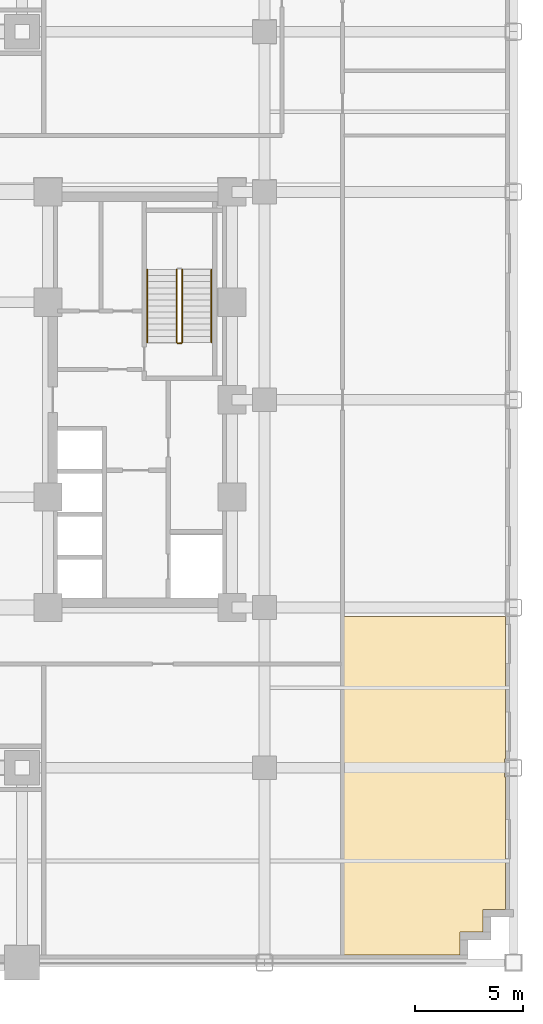
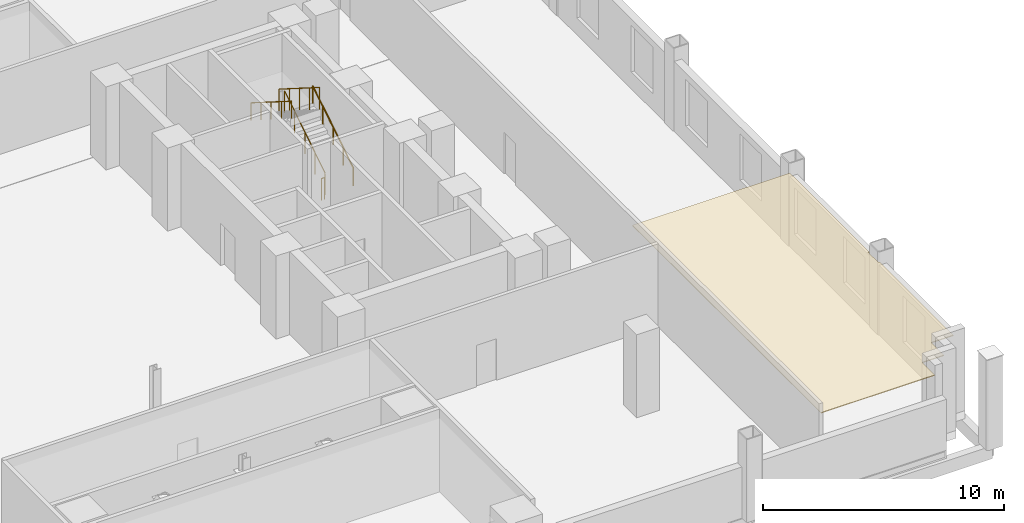
# One storey, part 14 of 17: 5 railings, 1 covering.
"""IFC4 building model written with IfcOpenShell, lengths in metres."""

import ifcopenshell
import ifcopenshell.guid

model = None  # the IFC model being written
_history = None  # IfcOwnerHistory: only IFC2X3 demands one
_inside = {}  # id of a spatial element -> (the spatial element, [elements in it])
_under = {}  # id of a project, library or spatial element -> (it, [spatial elements below it])
_declared = {}  # id of a project -> (the project, [libraries it declares])
_typed = {}  # id of a type object -> (the type object, [elements of that type])
_made_of = {}  # id of a material, layer set ... -> (it, [elements and type objects made of it])


def new_model(schema):
    """Start an empty IFC model of exactly this schema.

    Asked for "IFC4X3", IfcOpenShell would pick the latest addendum, in which some entities
    have other attributes; the version numbers below select the first issue.
    IFC2X3 requires an IfcOwnerHistory on every rooted entity: one is made here for all.
    """
    global model, _history
    if schema == "IFC4X3":
        model = ifcopenshell.file(schema_version=(4, 3, 0, 0))
    else:
        model = ifcopenshell.file(schema=schema)
    _inside.clear()
    _under.clear()
    _declared.clear()
    _typed.clear()
    _made_of.clear()
    _history = None
    if model.schema == "IFC2X3":
        org = make("IfcOrganization", Name="unknown")
        user = make(
            "IfcPersonAndOrganization",
            ThePerson=make("IfcPerson", FamilyName="unknown"),
            TheOrganization=org,
        )
        app = make(
            "IfcApplication",
            ApplicationDeveloper=org,
            Version="unknown",
            ApplicationFullName="unknown",
            ApplicationIdentifier="unknown",
        )
        _history = make(
            "IfcOwnerHistory",
            OwningUser=user,
            OwningApplication=app,
            ChangeAction="ADDED",
            CreationDate=0,
        )
    return model


def make(cls, **values):
    """One entity of the class cls with the attributes given. An attribute that is None is left unset."""
    return model.create_entity(
        cls, **{name: value for name, value in values.items() if value is not None}
    )


def rooted(cls, **values):
    """An entity with a GlobalId (a new one), such as an element, a storey or a relation."""
    return make(cls, GlobalId=ifcopenshell.guid.new(), OwnerHistory=_history, **values)


def si_unit(unit_type, name, prefix=None):
    """IfcSIUnit, for example si_unit("LENGTHUNIT", "METRE", prefix="MILLI")."""
    return make("IfcSIUnit", UnitType=unit_type, Prefix=prefix, Name=name)


def assignment(units):
    """IfcUnitAssignment: the units of a project."""
    return None if units is None else make("IfcUnitAssignment", Units=units)


def point(xyz):
    """IfcCartesianPoint."""
    return None if xyz is None else make("IfcCartesianPoint", Coordinates=xyz)


def direction(xyz):
    """IfcDirection."""
    return None if xyz is None else make("IfcDirection", DirectionRatios=xyz)


def frame(location, z_axis=None, x_axis=None):
    """IfcAxis2Placement3D, a coordinate frame: its origin and axes. An axis left out is left unset."""
    return make(
        "IfcAxis2Placement3D",
        Location=point(location),
        Axis=direction(z_axis),
        RefDirection=direction(x_axis),
    )


def frame_2d(location, x_axis=None):
    """IfcAxis2Placement2D, a coordinate frame in the plane: its origin and x axis."""
    return make(
        "IfcAxis2Placement2D", Location=point(location), RefDirection=direction(x_axis)
    )


def origin():
    """The frame at (0, 0, 0) with its axes left unset."""
    return frame((0.0, 0.0, 0.0))


def origin_2d():
    """The frame at (0, 0) in the plane with its x axis left unset."""
    return frame_2d((0.0, 0.0))


def place(relative_to, where):
    """IfcLocalPlacement: puts the frame where relative to a parent placement (None: the world)."""
    return make(
        "IfcLocalPlacement", PlacementRelTo=relative_to, RelativePlacement=where
    )


def context(
    kind, dimensions, precision=None, world=None, true_north=None, identifier=None
):
    """IfcGeometricRepresentationContext, for example the 3D "Model" context."""
    return make(
        "IfcGeometricRepresentationContext",
        ContextIdentifier=identifier,
        ContextType=kind,
        CoordinateSpaceDimension=dimensions,
        Precision=precision,
        WorldCoordinateSystem=world,
        TrueNorth=true_north,
    )


def subcontext(parent, identifier, kind, view, scale=None):
    """IfcGeometricRepresentationSubContext, for example "Body" below "Model"."""
    return make(
        "IfcGeometricRepresentationSubContext",
        ContextIdentifier=identifier,
        ContextType=kind,
        ParentContext=parent,
        TargetScale=scale,
        TargetView=view,
    )


def project(units=None, contexts=None):
    """IfcProject with its units and contexts."""
    return rooted(
        "IfcProject",
        Name="project",
        RepresentationContexts=contexts,
        UnitsInContext=assignment(units),
    )


def spatial(cls, under=None, at=None, **own):
    """A site, building, storey or space (cls), placed at a placement, below another one or the project."""
    s = rooted(cls, ObjectPlacement=at, **own)
    if under is not None:
        _under.setdefault(under.id(), (under, []))[1].append(s)
    return s


def polyline(points):
    """IfcPolyline through the points."""
    return make("IfcPolyline", Points=[point(p) for p in points])


def profile(cls, at=None, kind="AREA", **sizes):
    """A parametric profile (cls). Its sizes go by their IFC names, for example OverallWidth=200.0."""
    return make(cls, ProfileType=kind, Position=at, **sizes)


def circle(**sizes):
    """IfcCircleProfileDef."""
    return profile("IfcCircleProfileDef", **sizes)


def outline(outer, holes=None, kind="AREA"):
    """IfcArbitraryClosedProfileDef: a profile drawn as a closed curve; with holes, ...WithVoids."""
    if holes is None:
        return make("IfcArbitraryClosedProfileDef", ProfileType=kind, OuterCurve=outer)
    return make(
        "IfcArbitraryProfileDefWithVoids",
        ProfileType=kind,
        OuterCurve=outer,
        InnerCurves=holes,
    )


def extrude(swept, where, along, depth):
    """IfcExtrudedAreaSolid: the profile swept, set in the frame where, extruded along a direction by depth."""
    return make(
        "IfcExtrudedAreaSolid",
        SweptArea=swept,
        Position=where,
        ExtrudedDirection=direction(along),
        Depth=depth,
    )


def shape(context_of_items, identifier, shape_type, items):
    """IfcShapeRepresentation: the items that make up one representation, for example the "Body"."""
    return make(
        "IfcShapeRepresentation",
        ContextOfItems=context_of_items,
        RepresentationIdentifier=identifier,
        RepresentationType=shape_type,
        Items=items,
    )


def material(Name=None, Category=None):
    """IfcMaterial."""
    return make("IfcMaterial", Name=Name, Category=Category)


def layer(
    of_material, thickness, ventilated=None, Name=None, Category=None, Priority=None
):
    """IfcMaterialLayer: one layer of a wall or slab, of a material (None: an air gap)."""
    return make(
        "IfcMaterialLayer",
        Material=of_material,
        LayerThickness=thickness,
        IsVentilated=ventilated,
        Name=Name,
        Category=Category,
        Priority=Priority,
    )


def layer_set(layers, Name=None):
    """IfcMaterialLayerSet."""
    return make("IfcMaterialLayerSet", MaterialLayers=layers, LayerSetName=Name)


def made_of(thing, what):
    """Note that an element or type object is made of a material, layer set ...; save() writes the relation."""
    if what is not None:
        _made_of.setdefault(what.id(), (what, []))[1].append(thing)
    return thing


def type_object(cls, material=None, **own):
    """A type object (cls), such as IfcWallType, which elements share."""
    return made_of(rooted(cls, **own), material)


def element(
    cls,
    number,
    at=None,
    inside=None,
    cuts=None,
    type_object=None,
    material=None,
    context=None,
    identifier="Body",
    shape_type=None,
    held_by="IfcProductDefinitionShape",
    body=None,
    shapes=None,
    **own,
):
    """One element of the class cls, such as IfcWall. Its Tag is "e" and its number.

    at: its placement. inside: the storey or other place that contains it. cuts: it is an
    opening in that element (IfcRelVoidsElement). A single representation is given by context,
    identifier, shape_type and body (its items); several are given by shapes. held_by: the class
    of the entity that holds the representations. save() writes the other relations.
    """
    e = rooted(cls, Tag="e%d" % number, ObjectPlacement=at, **own)
    if body is not None:
        shapes = [shape(context, identifier, shape_type, body)]
    if shapes is not None:
        e.Representation = make(held_by, Representations=shapes)
    if inside is not None:
        _inside.setdefault(inside.id(), (inside, []))[1].append(e)
    if cuts is not None:
        rooted(
            "IfcRelVoidsElement", RelatingBuildingElement=cuts, RelatedOpeningElement=e
        )
    if type_object is not None:
        _typed.setdefault(type_object.id(), (type_object, []))[1].append(e)
    return made_of(e, material)


def aggregate(whole, parts):
    """IfcRelAggregates: a whole, such as a stair, and the parts it consists of."""
    return rooted("IfcRelAggregates", RelatingObject=whole, RelatedObjects=parts)


def save(model, path):
    """Write the relations noted so far, then the file.

    IfcRelAggregates (storeys below a building ...), IfcRelContainedInSpatialStructure (elements
    in a storey), IfcRelDefinesByType, IfcRelAssociatesMaterial and IfcRelDeclares: one each for
    every whole, place, type object, material and project.
    """
    for whole, parts in _under.values():
        aggregate(whole, parts)
    for where, things in _inside.values():
        rooted(
            "IfcRelContainedInSpatialStructure",
            RelatedElements=things,
            RelatingStructure=where,
        )
    for kind, things in _typed.values():
        rooted("IfcRelDefinesByType", RelatedObjects=things, RelatingType=kind)
    for what, things in _made_of.values():
        rooted("IfcRelAssociatesMaterial", RelatedObjects=things, RelatingMaterial=what)
    for by, libraries in _declared.values():
        rooted("IfcRelDeclares", RelatingContext=by, RelatedDefinitions=libraries)
    model.write(path)


model = new_model("IFC4")

# Units and contexts
model_context = context("Model", 3, precision=1e-05, world=origin(), true_north=direction((0.0, 1.0)))
body_context = subcontext(model_context, "Body", "Model", "MODEL_VIEW")
ifc_project = project(units=[si_unit("LENGTHUNIT", "METRE"), si_unit("AREAUNIT", "SQUARE_METRE"), si_unit("VOLUMEUNIT", "CUBIC_METRE"), si_unit("PLANEANGLEUNIT", "RADIAN"), si_unit("MASSUNIT", "GRAM", prefix="KILO")], contexts=[model_context])

# Site, building, storey
site_placement = place(None, origin())
site = spatial("IfcSite", under=ifc_project, at=site_placement, CompositionType="ELEMENT")
building_placement = place(site_placement, origin())
building = spatial("IfcBuilding", under=site, at=building_placement, Name="Nuvemarco Arch Tower", CompositionType="ELEMENT")
storey_placement = place(building_placement, frame((0.0, 0.0, 18.39990234375)))
storey = spatial("IfcBuildingStorey", under=building, at=storey_placement, Name="L04", CompositionType="ELEMENT", Elevation=18.39990234375)

# Covering
ifc_material_1 = material(Name="Mineral acoustic ceiling tile")
ifc_layer = layer(ifc_material_1, 0.0400390625, Name="COV-ACOUSTIC-CLG")
ifc_layer_set = layer_set([ifc_layer], Name="Mineral acoustic ceiling tile")
covering_type = type_object("IfcCoveringType", Name="COV-ACOUSTIC-CLG", PredefinedType="CEILING", material=ifc_layer_set)
covering_placement = place(storey_placement, frame((0.0, 0.0, 3.68017578125)))
element("IfcCovering", 1, at=covering_placement, inside=storey, type_object=covering_type, Name="L04 suspended acoustic ceiling 3", PredefinedType="CEILING", context=body_context, shape_type="SweptSolid", body=[
    extrude(outline(polyline([(30.0849609375, -10.014892578125), (30.139892578125, -10.014892578125), (30.139892578125, -16.5849609375), (30.0849609375, -16.5849609375), (30.0849609375, -17.4150390625), (30.139892578125, -17.4150390625), (30.139892578125, -23.5400390625), (29.090087890625, -23.5400390625), (29.090087890625, -24.590087890625), (28.0400390625, -24.590087890625), (28.0400390625, -25.639892578125), (22.60009765625, -25.639892578125), (22.60009765625, -12.199951171875), (22.60009765625, -10.0), (30.0849609375, -10.0), (30.0849609375, -10.014892578125)])), origin(), (0.0, 0.0, 1.0), 0.0400390625),
])

# Railings
ifc_material_2 = material(Name="Brushed stainless steel handrail", Category="steel")
railing_type_1 = type_object("IfcRailingType", Name="RL-HANDRAIL-900", PredefinedType="HANDRAIL", material=ifc_material_2)
railing_1_placement = place(storey_placement, frame((16.550048828125, 2.64990234375, 0.177001953125)))
element("IfcRailing", 2, at=railing_1_placement, inside=storey, type_object=railing_type_1, Name="L04 ST-2 stair handrail 1", PredefinedType="HANDRAIL", context=body_context, shape_type="SweptSolid", body=[
    extrude(circle(Radius=0.02392578125, at=origin_2d()), frame((0.0, 0.0, 0.8759765625), z_axis=(0.0, 0.845389635667, 0.534150132366), x_axis=(-1.0, 0.0, 0.0)), (0.0, 0.0, 1.0), 3.974609375),
    extrude(circle(Radius=0.02099609375, at=origin_2d()), origin(), (0.0, 0.0, 1.0), 0.851806640625),
    extrude(circle(Radius=0.02099609375, at=origin_2d()), frame((0.0, 0.840087890625, 0.53076171875)), (0.0, 0.0, 1.0), 0.851806640625),
    extrude(circle(Radius=0.02099609375, at=origin_2d()), frame((0.0, 1.68017578125, 1.0615234375)), (0.0, 0.0, 1.0), 0.851806640625),
    extrude(circle(Radius=0.02099609375, at=origin_2d()), frame((0.0, 2.52001953125, 1.59228515625)), (0.0, 0.0, 1.0), 0.851806640625),
    extrude(circle(Radius=0.02099609375, at=origin_2d()), frame((0.0, 3.360107421875, 2.123046875)), (0.0, 0.0, 1.0), 0.851806640625),
])
railing_2_placement = place(storey_placement, frame((13.590087890625, 6.010009765625, 2.47705078125)))
element("IfcRailing", 3, at=railing_2_placement, inside=storey, type_object=railing_type_1, Name="L04 ST-2 stair handrail 2", PredefinedType="HANDRAIL", context=body_context, shape_type="SweptSolid", body=[
    extrude(circle(Radius=0.02392578125, at=origin_2d()), frame((0.0, 0.0, 0.8759765625), z_axis=(0.0, -0.845389635667, 0.534150132366), x_axis=(1.0, 0.0, 0.0)), (0.0, 0.0, 1.0), 3.974609375),
    extrude(circle(Radius=0.02099609375, at=origin_2d()), origin(), (0.0, 0.0, 1.0), 0.851806640625),
    extrude(circle(Radius=0.02099609375, at=origin_2d()), frame((0.0, -0.840087890625, 0.53076171875)), (0.0, 0.0, 1.0), 0.851806640625),
    extrude(circle(Radius=0.02099609375, at=origin_2d()), frame((0.0, -1.68017578125, 1.0615234375)), (0.0, 0.0, 1.0), 0.851806640625),
    extrude(circle(Radius=0.02099609375, at=origin_2d()), frame((0.0, -2.52001953125, 1.59228515625)), (0.0, 0.0, 1.0), 0.851806640625),
    extrude(circle(Radius=0.02099609375, at=origin_2d()), frame((0.0, -3.360107421875, 2.123046875)), (0.0, 0.0, 1.0), 0.851806640625),
])
ifc_material_3 = material(Name="Painted balustrade steel S355", Category="steel")
railing_type_2 = type_object("IfcRailingType", Name="RL-STAIR-GUARD", PredefinedType="GUARDRAIL", material=ifc_material_3)
railing_3_placement = place(storey_placement, frame((15.199951171875, 2.64990234375, 0.177001953125)))
element("IfcRailing", 4, at=railing_3_placement, inside=storey, type_object=railing_type_2, Name="L04 ST-2 stair guard 1", PredefinedType="GUARDRAIL", context=body_context, shape_type="SweptSolid", body=[
    extrude(circle(Radius=0.02392578125, at=origin_2d()), frame((0.0, 0.0, 1.09619140625), z_axis=(0.0, 0.845389635667, 0.534150132366), x_axis=(-1.0, 0.0, 0.0)), (0.0, 0.0, 1.0), 3.974609375),
    extrude(circle(Radius=0.02099609375, at=origin_2d()), origin(), (0.0, 0.0, 1.0), 1.072021484375),
    extrude(circle(Radius=0.02099609375, at=origin_2d()), frame((0.0, 0.840087890625, 0.53076171875)), (0.0, 0.0, 1.0), 1.072021484375),
    extrude(circle(Radius=0.02099609375, at=origin_2d()), frame((0.0, 1.68017578125, 1.0615234375)), (0.0, 0.0, 1.0), 1.072021484375),
    extrude(circle(Radius=0.02099609375, at=origin_2d()), frame((0.0, 2.52001953125, 1.59228515625)), (0.0, 0.0, 1.0), 1.072021484375),
    extrude(circle(Radius=0.02099609375, at=origin_2d()), frame((0.0, 3.360107421875, 2.123046875)), (0.0, 0.0, 1.0), 1.072021484375),
])
railing_4_placement = place(storey_placement, frame((14.93994140625, 6.010009765625, 2.47705078125)))
element("IfcRailing", 5, at=railing_4_placement, inside=storey, type_object=railing_type_2, Name="L04 ST-2 stair guard 3", PredefinedType="GUARDRAIL", context=body_context, shape_type="SweptSolid", body=[
    extrude(circle(Radius=0.02392578125, at=origin_2d()), frame((0.0, 0.0, 1.09619140625), z_axis=(0.0, -0.845389635667, 0.534150132366), x_axis=(1.0, 0.0, 0.0)), (0.0, 0.0, 1.0), 3.974609375),
    extrude(circle(Radius=0.02099609375, at=origin_2d()), origin(), (0.0, 0.0, 1.0), 1.072021484375),
    extrude(circle(Radius=0.02099609375, at=origin_2d()), frame((0.0, -0.840087890625, 0.53076171875)), (0.0, 0.0, 1.0), 1.072021484375),
    extrude(circle(Radius=0.02099609375, at=origin_2d()), frame((0.0, -1.68017578125, 1.0615234375)), (0.0, 0.0, 1.0), 1.072021484375),
    extrude(circle(Radius=0.02099609375, at=origin_2d()), frame((0.0, -2.52001953125, 1.59228515625)), (0.0, 0.0, 1.0), 1.072021484375),
    extrude(circle(Radius=0.02099609375, at=origin_2d()), frame((0.0, -3.360107421875, 2.123046875)), (0.0, 0.0, 1.0), 1.072021484375),
])
railing_5_placement = place(storey_placement, frame((15.14990234375, 2.60009765625, 0.0)))
element("IfcRailing", 6, at=railing_5_placement, inside=storey, type_object=railing_type_2, Name="L04 ST-2 stair guard 4", PredefinedType="GUARDRAIL", context=body_context, shape_type="SweptSolid", body=[
    extrude(circle(Radius=0.02392578125, at=origin_2d()), frame((0.0, 0.0, 1.09619140625), z_axis=(-1.0, 0.0, 0.0), x_axis=(0.0, -1.0, 0.0)), (0.0, 0.0, 1.0), 0.159912109375),
    extrude(circle(Radius=0.02099609375, at=origin_2d()), origin(), (0.0, 0.0, 1.0), 1.072021484375),
    extrude(circle(Radius=0.02099609375, at=origin_2d()), frame((-0.159912109375, 0.0, 0.0)), (0.0, 0.0, 1.0), 1.072021484375),
])

save(model, "model.ifc")
